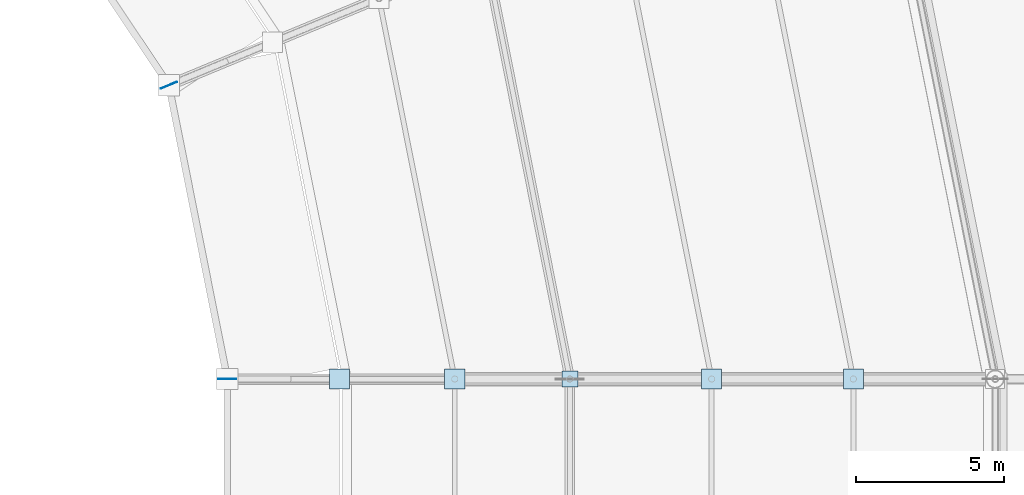
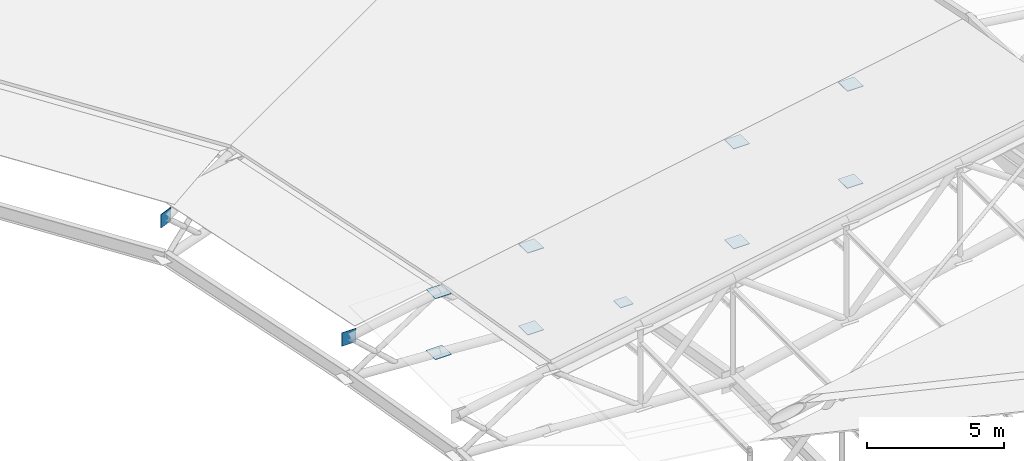
# One storey, part 139 of 146: 11 plates.
"""IFC4 building model written with IfcOpenShell, lengths in metres."""

from ifc_helpers import new_model, si_unit, direction, frame, origin, origin_2d, place, context, subcontext, project, spatial, rectangle, extrude, material, layer, layer_set, type_object, element, save


model = new_model("IFC4")

# Units and contexts
model_context = context("Model", 3, precision=1e-05, world=origin(), true_north=direction((0.0, 1.0)))
body_context = subcontext(model_context, "Body", "Model", "MODEL_VIEW")
ifc_project = project(units=[si_unit("LENGTHUNIT", "METRE"), si_unit("AREAUNIT", "SQUARE_METRE"), si_unit("VOLUMEUNIT", "CUBIC_METRE"), si_unit("PLANEANGLEUNIT", "RADIAN"), si_unit("MASSUNIT", "GRAM", prefix="KILO")], contexts=[model_context])

# Site, building, storey
site_placement = place(None, origin())
site = spatial("IfcSite", under=ifc_project, at=site_placement, CompositionType="ELEMENT")
building_placement = place(site_placement, origin())
building = spatial("IfcBuilding", under=site, at=building_placement, Name="Candeia Ridge Stadium", CompositionType="ELEMENT")
storey_placement = place(building_placement, frame((0.0, 0.0, 31.800048828125)))
storey = spatial("IfcBuildingStorey", under=building, at=storey_placement, Name="RF", CompositionType="ELEMENT", Elevation=31.800048828125)

# Plates
ifc_material = material(Name="Steel ASTM A572 Grade 50", Category="steel")
ifc_layer_1 = layer(ifc_material, 0.02490234375, Name="Steel ASTM A572 Grade 50", Category="steel")
ifc_layer_set_1 = layer_set([ifc_layer_1], Name="Steel ASTM A572 Grade 50")
plate_type_1 = type_object("IfcPlateType", Name="Hollow Section End Closure Plate CP1", PredefinedType="SHEET", material=ifc_layer_set_1)
plate_placement = place(storey_placement, frame((178.60009765625, 95.0, -2.676513671875), z_axis=(0.0, 0.0, 1.0), x_axis=(1.0, 0.0, 0.0)))
element("IfcPlate", 1, at=plate_placement, inside=storey, type_object=plate_type_1, Name="Hollow section end closure plate MCAP-T-BC-MD-32", PredefinedType="SHEET", context=body_context, shape_type="SweptSolid", body=[
    extrude(rectangle(XDim=0.5400390625, YDim=0.5400390625, at=origin_2d()), origin(), (0.0, 0.0, 1.0), 0.02490234375),
])
ifc_layer_2 = layer(ifc_material, 0.02490234375, Name="Steel ASTM A572 Grade 50", Category="steel")
ifc_layer_set_2 = layer_set([ifc_layer_2], Name="Steel ASTM A572 Grade 50")
plate_type_2 = type_object("IfcPlateType", Name="Hollow Section End Closure Plate CP3", PredefinedType="SHEET", material=ifc_layer_set_2)
for number, where, z_axis, x_axis, name in (
    (2, (170.800048828125, 95.0, 0.530517578125), (0.0, 0.0, 1.0), (1.0, 0.0, 0.0), "Hollow section end closure plate NCAP-T-32-1"),
    (3, (170.800048828125, 95.0, -2.186767578125), (0.0, 0.0, 1.0), (1.0, 0.0, 0.0), "Hollow section end closure plate NCAP-B-32-1"),
    (4, (174.699951171875, 95.0, 1.201904296875), (0.0, 0.0, 1.0), (1.0, 0.0, 0.0), "Hollow section end closure plate NCAP-T-32-2"),
    (5, (174.699951171875, 95.0, -2.45654296875), (0.0, 0.0, 1.0), (1.0, 0.0, 0.0), "Hollow section end closure plate NCAP-B-32-2"),
    (6, (183.39990234375, 95.0, 2.8115234375), (0.0, 0.0, 1.0), (1.0, 0.0, 0.0), "Hollow section end closure plate NCAP-T-32-4"),
    (7, (183.39990234375, 95.0, -1.6552734375), (0.0, 0.0, 1.0), (1.0, 0.0, 0.0), "Hollow section end closure plate NCAP-B-32-4"),
    (8, (188.199951171875, 95.0, 3.699462890625), (0.0, 0.0, 1.0), (1.0, 0.0, 0.0), "Hollow section end closure plate NCAP-T-32-5"),
    (9, (188.199951171875, 95.0, -0.6337890625), (0.0, 0.0, 1.0), (1.0, 0.0, 0.0), "Hollow section end closure plate NCAP-B-32-5"),
):
    element("IfcPlate", number, at=place(storey_placement, frame(where, z_axis=z_axis, x_axis=x_axis)), inside=storey, type_object=plate_type_2, Name=name, PredefinedType="SHEET", context=body_context, shape_type="SweptSolid", body=[
        extrude(rectangle(XDim=0.679931640625, YDim=0.679931640625, at=origin_2d()), origin(), (0.0, 0.0, 1.0), 0.02490234375),
    ])
ifc_layer_3 = layer(ifc_material, 0.02392578125, Name="Steel ASTM A572 Grade 50", Category="steel")
ifc_layer_set_3 = layer_set([ifc_layer_3], Name="Steel ASTM A572 Grade 50")
plate_type_3 = type_object("IfcPlateType", Name="Roof Truss Chord-Web Node Gusset ND-3", PredefinedType="USERDEFINED", material=ifc_layer_set_3)
for number, where, z_axis, x_axis, name in (
    (10, (167.0, 95.0, -0.460205078125), (0.0, 0.0, 1.0), (1.0, 0.0, 0.0), "Roof truss tip gusset node ND-3 bay 33"),
    (11, (165.020751953125, 104.94970703125, -0.460205078125), (0.0, 0.0, 1.0), (0.923879532077, 0.382683433413, 0.0), "Roof truss tip gusset node ND-3 bay 34"),
):
    element("IfcPlate", number, at=place(storey_placement, frame(where, z_axis=z_axis, x_axis=x_axis)), inside=storey, type_object=plate_type_3, Name=name, ObjectType="GUSSET PLATE", PredefinedType="USERDEFINED", context=body_context, shape_type="SweptSolid", body=[
        extrude(rectangle(XDim=0.60009765625, YDim=0.02392578125, at=origin_2d()), origin(), (0.0, 0.0, 1.0), 0.60009765625),
    ])

save(model, "model.ifc")
